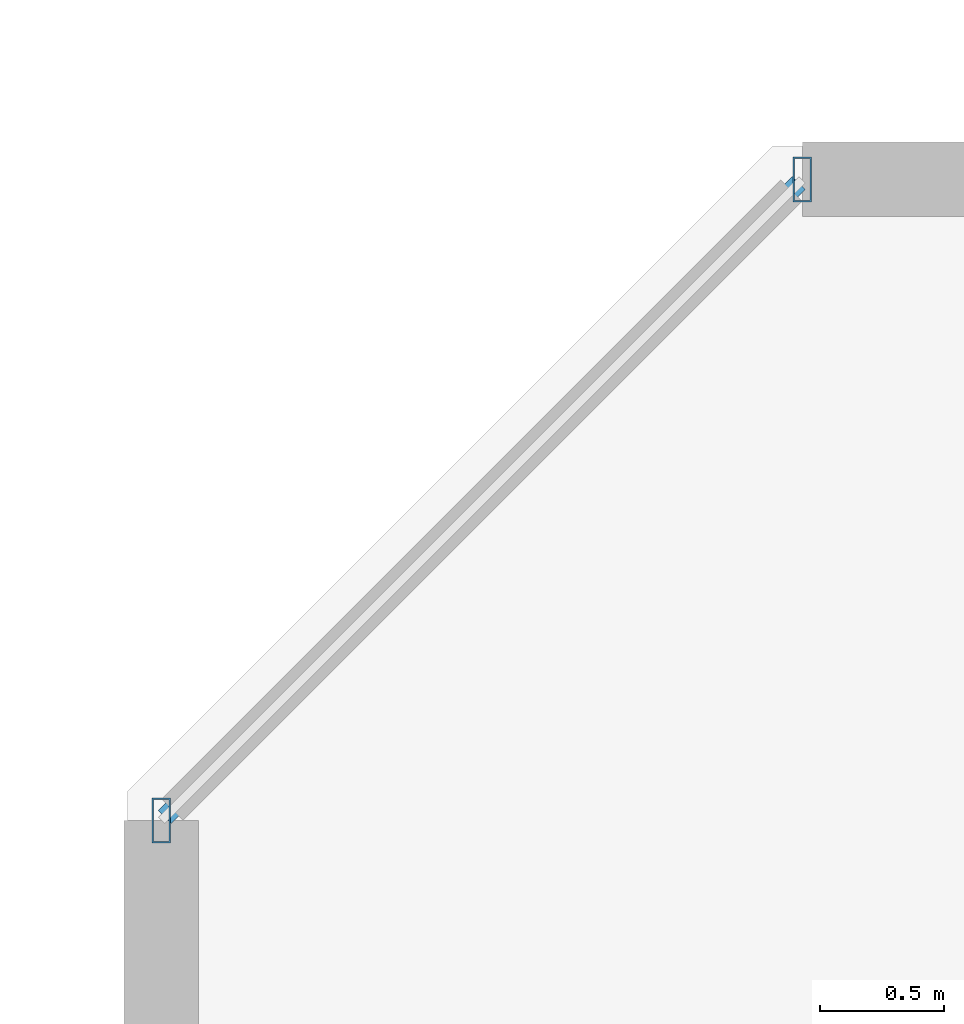
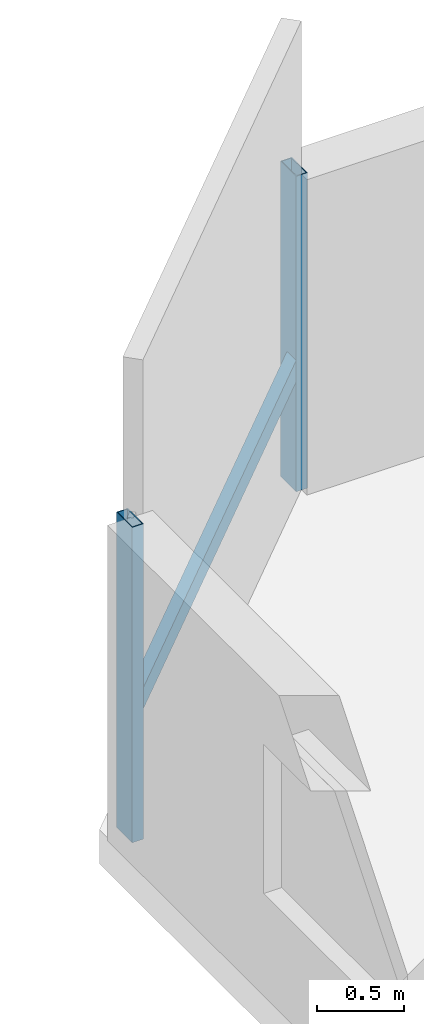
# One storey, part 15 of 35: 3 members, 1 element without a shape of its own.
"""IFC4 building model written with IfcOpenShell, lengths in metres."""

import ifcopenshell
import ifcopenshell.guid

model = None  # the IFC model being written
_history = None  # IfcOwnerHistory: only IFC2X3 demands one
_inside = {}  # id of a spatial element -> (the spatial element, [elements in it])
_under = {}  # id of a project, library or spatial element -> (it, [spatial elements below it])
_declared = {}  # id of a project -> (the project, [libraries it declares])
_typed = {}  # id of a type object -> (the type object, [elements of that type])
_made_of = {}  # id of a material, layer set ... -> (it, [elements and type objects made of it])


def new_model(schema):
    """Start an empty IFC model of exactly this schema.

    Asked for "IFC4X3", IfcOpenShell would pick the latest addendum, in which some entities
    have other attributes; the version numbers below select the first issue.
    IFC2X3 requires an IfcOwnerHistory on every rooted entity: one is made here for all.
    """
    global model, _history
    if schema == "IFC4X3":
        model = ifcopenshell.file(schema_version=(4, 3, 0, 0))
    else:
        model = ifcopenshell.file(schema=schema)
    _inside.clear()
    _under.clear()
    _declared.clear()
    _typed.clear()
    _made_of.clear()
    _history = None
    if model.schema == "IFC2X3":
        org = make("IfcOrganization", Name="unknown")
        user = make(
            "IfcPersonAndOrganization",
            ThePerson=make("IfcPerson", FamilyName="unknown"),
            TheOrganization=org,
        )
        app = make(
            "IfcApplication",
            ApplicationDeveloper=org,
            Version="unknown",
            ApplicationFullName="unknown",
            ApplicationIdentifier="unknown",
        )
        _history = make(
            "IfcOwnerHistory",
            OwningUser=user,
            OwningApplication=app,
            ChangeAction="ADDED",
            CreationDate=0,
        )
    return model


def make(cls, **values):
    """One entity of the class cls with the attributes given. An attribute that is None is left unset."""
    return model.create_entity(
        cls, **{name: value for name, value in values.items() if value is not None}
    )


def rooted(cls, **values):
    """An entity with a GlobalId (a new one), such as an element, a storey or a relation."""
    return make(cls, GlobalId=ifcopenshell.guid.new(), OwnerHistory=_history, **values)


def si_unit(unit_type, name, prefix=None):
    """IfcSIUnit, for example si_unit("LENGTHUNIT", "METRE", prefix="MILLI")."""
    return make("IfcSIUnit", UnitType=unit_type, Prefix=prefix, Name=name)


def assignment(units):
    """IfcUnitAssignment: the units of a project."""
    return None if units is None else make("IfcUnitAssignment", Units=units)


def point(xyz):
    """IfcCartesianPoint."""
    return None if xyz is None else make("IfcCartesianPoint", Coordinates=xyz)


def direction(xyz):
    """IfcDirection."""
    return None if xyz is None else make("IfcDirection", DirectionRatios=xyz)


def frame(location, z_axis=None, x_axis=None):
    """IfcAxis2Placement3D, a coordinate frame: its origin and axes. An axis left out is left unset."""
    return make(
        "IfcAxis2Placement3D",
        Location=point(location),
        Axis=direction(z_axis),
        RefDirection=direction(x_axis),
    )


def frame_2d(location, x_axis=None):
    """IfcAxis2Placement2D, a coordinate frame in the plane: its origin and x axis."""
    return make(
        "IfcAxis2Placement2D", Location=point(location), RefDirection=direction(x_axis)
    )


def origin():
    """The frame at (0, 0, 0) with its axes left unset."""
    return frame((0.0, 0.0, 0.0))


def origin_2d():
    """The frame at (0, 0) in the plane with its x axis left unset."""
    return frame_2d((0.0, 0.0))


def place(relative_to, where):
    """IfcLocalPlacement: puts the frame where relative to a parent placement (None: the world)."""
    return make(
        "IfcLocalPlacement", PlacementRelTo=relative_to, RelativePlacement=where
    )


def context(
    kind, dimensions, precision=None, world=None, true_north=None, identifier=None
):
    """IfcGeometricRepresentationContext, for example the 3D "Model" context."""
    return make(
        "IfcGeometricRepresentationContext",
        ContextIdentifier=identifier,
        ContextType=kind,
        CoordinateSpaceDimension=dimensions,
        Precision=precision,
        WorldCoordinateSystem=world,
        TrueNorth=true_north,
    )


def subcontext(parent, identifier, kind, view, scale=None):
    """IfcGeometricRepresentationSubContext, for example "Body" below "Model"."""
    return make(
        "IfcGeometricRepresentationSubContext",
        ContextIdentifier=identifier,
        ContextType=kind,
        ParentContext=parent,
        TargetScale=scale,
        TargetView=view,
    )


def project(units=None, contexts=None):
    """IfcProject with its units and contexts."""
    return rooted(
        "IfcProject",
        Name="project",
        RepresentationContexts=contexts,
        UnitsInContext=assignment(units),
    )


def spatial(cls, under=None, at=None, **own):
    """A site, building, storey or space (cls), placed at a placement, below another one or the project."""
    s = rooted(cls, ObjectPlacement=at, **own)
    if under is not None:
        _under.setdefault(under.id(), (under, []))[1].append(s)
    return s


def profile(cls, at=None, kind="AREA", **sizes):
    """A parametric profile (cls). Its sizes go by their IFC names, for example OverallWidth=200.0."""
    return make(cls, ProfileType=kind, Position=at, **sizes)


def hollow_rectangle(**sizes):
    """IfcRectangleHollowProfileDef."""
    return profile("IfcRectangleHollowProfileDef", **sizes)


def extrude(swept, where, along, depth):
    """IfcExtrudedAreaSolid: the profile swept, set in the frame where, extruded along a direction by depth."""
    return make(
        "IfcExtrudedAreaSolid",
        SweptArea=swept,
        Position=where,
        ExtrudedDirection=direction(along),
        Depth=depth,
    )


def shape(context_of_items, identifier, shape_type, items):
    """IfcShapeRepresentation: the items that make up one representation, for example the "Body"."""
    return make(
        "IfcShapeRepresentation",
        ContextOfItems=context_of_items,
        RepresentationIdentifier=identifier,
        RepresentationType=shape_type,
        Items=items,
    )


def material(Name=None, Category=None):
    """IfcMaterial."""
    return make("IfcMaterial", Name=Name, Category=Category)


def material_profile(
    of_material, cross_section, Name=None, Category=None, Priority=None
):
    """IfcMaterialProfile: a cross section and its material."""
    return make(
        "IfcMaterialProfile",
        Name=Name,
        Material=of_material,
        Profile=cross_section,
        Priority=Priority,
        Category=Category,
    )


def profile_set(profiles, Name=None, composite=None):
    """IfcMaterialProfileSet."""
    return make(
        "IfcMaterialProfileSet",
        Name=Name,
        MaterialProfiles=profiles,
        CompositeProfile=composite,
    )


def made_of(thing, what):
    """Note that an element or type object is made of a material, layer set ...; save() writes the relation."""
    if what is not None:
        _made_of.setdefault(what.id(), (what, []))[1].append(thing)
    return thing


def type_object(cls, material=None, **own):
    """A type object (cls), such as IfcWallType, which elements share."""
    return made_of(rooted(cls, **own), material)


def element(
    cls,
    number,
    at=None,
    inside=None,
    cuts=None,
    type_object=None,
    material=None,
    context=None,
    identifier="Body",
    shape_type=None,
    held_by="IfcProductDefinitionShape",
    body=None,
    shapes=None,
    **own,
):
    """One element of the class cls, such as IfcWall. Its Tag is "e" and its number.

    at: its placement. inside: the storey or other place that contains it. cuts: it is an
    opening in that element (IfcRelVoidsElement). A single representation is given by context,
    identifier, shape_type and body (its items); several are given by shapes. held_by: the class
    of the entity that holds the representations. save() writes the other relations.
    """
    e = rooted(cls, Tag="e%d" % number, ObjectPlacement=at, **own)
    if body is not None:
        shapes = [shape(context, identifier, shape_type, body)]
    if shapes is not None:
        e.Representation = make(held_by, Representations=shapes)
    if inside is not None:
        _inside.setdefault(inside.id(), (inside, []))[1].append(e)
    if cuts is not None:
        rooted(
            "IfcRelVoidsElement", RelatingBuildingElement=cuts, RelatedOpeningElement=e
        )
    if type_object is not None:
        _typed.setdefault(type_object.id(), (type_object, []))[1].append(e)
    return made_of(e, material)


def aggregate(whole, parts):
    """IfcRelAggregates: a whole, such as a stair, and the parts it consists of."""
    return rooted("IfcRelAggregates", RelatingObject=whole, RelatedObjects=parts)


def save(model, path):
    """Write the relations noted so far, then the file.

    IfcRelAggregates (storeys below a building ...), IfcRelContainedInSpatialStructure (elements
    in a storey), IfcRelDefinesByType, IfcRelAssociatesMaterial and IfcRelDeclares: one each for
    every whole, place, type object, material and project.
    """
    for whole, parts in _under.values():
        aggregate(whole, parts)
    for where, things in _inside.values():
        rooted(
            "IfcRelContainedInSpatialStructure",
            RelatedElements=things,
            RelatingStructure=where,
        )
    for kind, things in _typed.values():
        rooted("IfcRelDefinesByType", RelatedObjects=things, RelatingType=kind)
    for what, things in _made_of.values():
        rooted("IfcRelAssociatesMaterial", RelatedObjects=things, RelatingMaterial=what)
    for by, libraries in _declared.values():
        rooted("IfcRelDeclares", RelatingContext=by, RelatedDefinitions=libraries)
    model.write(path)


model = new_model("IFC4")

# Units and contexts
model_context = context("Model", 3, precision=1e-05, world=origin(), true_north=direction((0.0, 1.0)))
body_context = subcontext(model_context, "Body", "Model", "MODEL_VIEW")
ifc_project = project(units=[si_unit("LENGTHUNIT", "METRE"), si_unit("AREAUNIT", "SQUARE_METRE"), si_unit("VOLUMEUNIT", "CUBIC_METRE"), si_unit("PLANEANGLEUNIT", "RADIAN"), si_unit("MASSUNIT", "GRAM", prefix="KILO")], contexts=[model_context])

# Site, building, storey
site_placement = place(None, origin())
site = spatial("IfcSite", under=ifc_project, at=site_placement, CompositionType="ELEMENT")
building_placement = place(site_placement, origin())
building = spatial("IfcBuilding", under=site, at=building_placement, Name="Thornwick Lancets Civic Towers", CompositionType="ELEMENT")
storey_placement = place(building_placement, frame((0.0, 0.0, 225.89990234375)))
storey = spatial("IfcBuildingStorey", under=building, at=storey_placement, Name="L60", CompositionType="ELEMENT", Elevation=225.89990234375)

# Curtain wall, members
ifc_material_1 = material(Name="High-zone chamfered-corner unitised glass curtain wall", Category="glass")
curtain_wall_type = type_object("IfcCurtainWallType", Name="CW_SYS_05", PredefinedType="NOTDEFINED", material=ifc_material_1)
curtain_wall_placement = place(storey_placement, origin())
curtain_wall = element("IfcCurtainWall", 1, at=curtain_wall_placement, inside=storey, type_object=curtain_wall_type, Name="L60 Curtain Wall CW-L60-B-E5", PredefinedType="NOTDEFINED")
ifc_material_2 = material(Name="Thermally broken bronze aluminium S355", Category="steel")
ifc_material_profile_1 = material_profile(ifc_material_2, hollow_rectangle(XDim=0.074951171875, YDim=0.179931640625, WallThickness=0.006103515625, at=origin_2d()), Name="RHS 180x75x6")
ifc_profile_set_1 = profile_set([ifc_material_profile_1], Name="Thermally broken bronze aluminium S355")
member_type_1 = type_object("IfcMemberType", Name="CW_MUL_180", PredefinedType="MULLION", material=ifc_profile_set_1)
member_1_placement = place(storey_placement, frame((67.318603515625, 44.7646484375, 0.0), z_axis=(0.0, 0.0, 1.0), x_axis=(1.0, 0.0, 0.0)))
member_1 = element("IfcMember", 2, at=member_1_placement, type_object=member_type_1, Name="CW-L60-B-E5 Mullion 0", PredefinedType="MULLION", context=body_context, shape_type="SweptSolid", body=[
    extrude(hollow_rectangle(XDim=0.074951171875, YDim=0.179931640625, WallThickness=0.006103515625, at=origin_2d()), origin(), (0.0, 0.0, 1.0), 2.22021484375),
])
member_2_placement = place(storey_placement, frame((64.7353515625, 42.181396484375, 0.0), z_axis=(0.0, 0.0, 1.0), x_axis=(1.0, 0.0, 0.0)))
member_2 = element("IfcMember", 3, at=member_2_placement, type_object=member_type_1, Name="CW-L60-B-E5 Mullion 1", PredefinedType="MULLION", context=body_context, shape_type="SweptSolid", body=[
    extrude(hollow_rectangle(XDim=0.074951171875, YDim=0.179931640625, WallThickness=0.006103515625, at=origin_2d()), origin(), (0.0, 0.0, 1.0), 2.22021484375),
])
ifc_material_profile_2 = material_profile(ifc_material_2, hollow_rectangle(XDim=0.074951171875, YDim=0.14990234375, WallThickness=0.0048828125, at=origin_2d()), Name="RHS 150x75x5")
ifc_profile_set_2 = profile_set([ifc_material_profile_2], Name="Thermally broken bronze aluminium S355")
member_type_2 = type_object("IfcMemberType", Name="CW_TRN_150", PredefinedType="USERDEFINED", material=ifc_profile_set_2)
member_3_placement = place(storey_placement, frame((67.304443359375, 44.75048828125, 0.85009765625), z_axis=(-0.707106781187, -0.707106781187, 0.0), x_axis=(0.707106781187, -0.707106781187, 0.0)))
member_3 = element("IfcMember", 4, at=member_3_placement, type_object=member_type_2, Name="CW-L60-B-E5 Transom 0", ObjectType="TRANSOM", PredefinedType="USERDEFINED", context=body_context, shape_type="SweptSolid", body=[
    extrude(hollow_rectangle(XDim=0.074951171875, YDim=0.14990234375, WallThickness=0.0048828125, at=origin_2d()), origin(), (0.0, 0.0, 1.0), 3.61328125),
])
aggregate(curtain_wall, [member_1, member_2, member_3])

save(model, "model.ifc")
